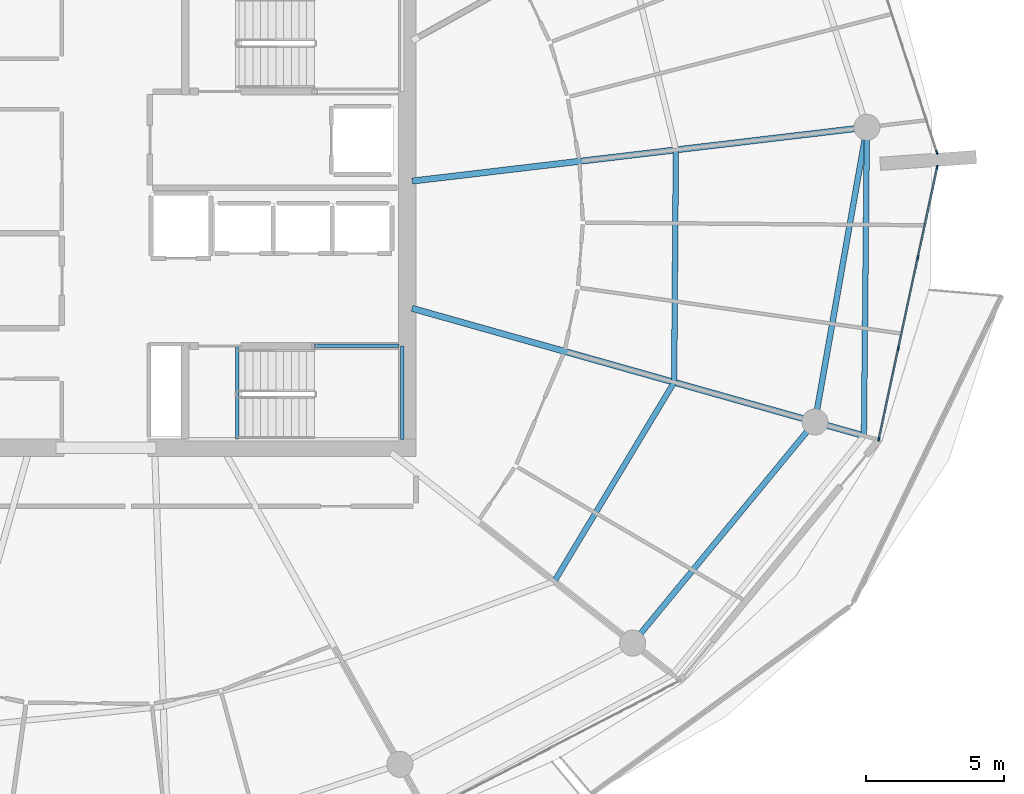
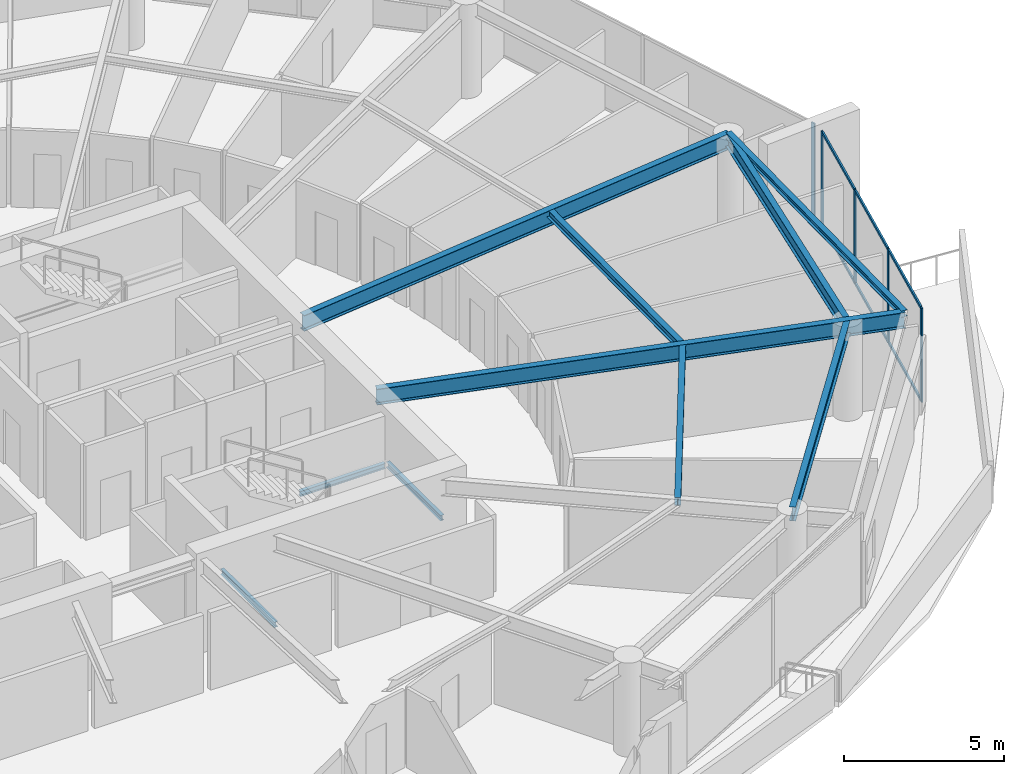
# One storey, part 11 of 30: 11 members, 10 beams, 2 elements without a shape of their own.
"""IFC4 building model written with IfcOpenShell, lengths in metres."""

from ifc_helpers import new_model, si_unit, direction, frame, origin, origin_2d, place, context, subcontext, project, spatial, rectangle, i_section, extrude, material, layer, layer_set, material_profile, profile_set, type_object, element, aggregate, save


model = new_model("IFC4")

# Units and contexts
model_context = context("Model", 3, precision=1e-05, world=origin(), true_north=direction((0.0, 1.0)))
body_context = subcontext(model_context, "Body", "Model", "MODEL_VIEW")
ifc_project = project(units=[si_unit("LENGTHUNIT", "METRE"), si_unit("AREAUNIT", "SQUARE_METRE"), si_unit("VOLUMEUNIT", "CUBIC_METRE"), si_unit("PLANEANGLEUNIT", "RADIAN"), si_unit("MASSUNIT", "GRAM", prefix="KILO")], contexts=[model_context])

# Site, building, storey
site_placement = place(None, origin())
site = spatial("IfcSite", under=ifc_project, at=site_placement, CompositionType="ELEMENT")
building_placement = place(site_placement, origin())
building = spatial("IfcBuilding", under=site, at=building_placement, Name="Kazma Halo Residences", CompositionType="ELEMENT")
storey_placement = place(building_placement, frame((0.0, 0.0, 244.39990234375)))
storey = spatial("IfcBuildingStorey", under=building, at=storey_placement, Name="L61", CompositionType="ELEMENT", Elevation=244.39990234375)

# Beams
ifc_material_1 = material(Name="Steel S355", Category="steel")
ifc_material_profile_1 = material_profile(ifc_material_1, i_section(OverallWidth=0.201904296875, OverallDepth=0.2470703125, WebThickness=0.00732421875, FlangeThickness=0.010986328125, FilletRadius=0.011962890625, at=origin_2d()), Name="W250x49.1")
ifc_profile_set_1 = profile_set([ifc_material_profile_1], Name="Steel S355")
beam_type_1 = type_object("IfcBeamType", Name="BM-BAL-CANT", PredefinedType="BEAM", material=ifc_profile_set_1)
beam_1_placement = place(storey_placement, frame((75.971435546875, 34.111083984375, 3.466552734375), z_axis=(0.009645503464, 0.999953481049, 0.0), x_axis=(-0.999953481049, 0.009645503464, 0.0)))
element("IfcBeam", 1, at=beam_1_placement, inside=storey, type_object=beam_type_1, Name="L61 wave-balcony tie beam 15", PredefinedType="BEAM", context=body_context, shape_type="SweptSolid", body=[
    extrude(i_section(OverallWidth=0.201904296875, OverallDepth=0.2470703125, WebThickness=0.00732421875, FlangeThickness=0.010986328125, FilletRadius=0.011962890625, at=origin_2d()), origin(), (0.0, 0.0, 1.0), 11.212890625),
])
ifc_material_profile_2 = material_profile(ifc_material_1, i_section(OverallWidth=0.22802734375, OverallDepth=0.60791015625, WebThickness=0.01123046875, FlangeThickness=0.017333984375, FilletRadius=0.01806640625, at=origin_2d()), Name="W610x113")
ifc_profile_set_2 = profile_set([ifc_material_profile_2], Name="Steel S355")
beam_type_2 = type_object("IfcBeamType", Name="BM-RAD-W610", PredefinedType="BEAM", material=ifc_profile_set_2)
beam_2_placement = place(storey_placement, frame((59.550048828125, 38.74267578125, 3.2861328125), z_axis=(0.96245092213, -0.271455746837, 0.0), x_axis=(0.271455746837, 0.96245092213, 0.0)))
element("IfcBeam", 2, at=beam_2_placement, inside=storey, type_object=beam_type_2, Name="L61 radial floor beam 15", PredefinedType="BEAM", context=body_context, shape_type="SweptSolid", body=[
    extrude(i_section(OverallWidth=0.22802734375, OverallDepth=0.60791015625, WebThickness=0.01123046875, FlangeThickness=0.017333984375, FilletRadius=0.01806640625, at=origin_2d()), origin(), (0.0, 0.0, 1.0), 17.06201171875),
])
beam_3_placement = place(storey_placement, frame((59.550048828125, 43.366943359375, 3.2861328125), z_axis=(0.993067455077, 0.117545861975, 0.0), x_axis=(-0.117545861975, 0.993067455077, 0.0)))
element("IfcBeam", 3, at=beam_3_placement, inside=storey, type_object=beam_type_2, Name="L61 radial floor beam 16", PredefinedType="BEAM", context=body_context, shape_type="SweptSolid", body=[
    extrude(i_section(OverallWidth=0.22802734375, OverallDepth=0.60791015625, WebThickness=0.01123046875, FlangeThickness=0.017333984375, FilletRadius=0.01806640625, at=origin_2d()), origin(), (0.0, 0.0, 1.0), 16.64501953125),
])
ifc_material_profile_3 = material_profile(ifc_material_1, i_section(OverallWidth=0.202880859375, OverallDepth=0.302978515625, WebThickness=0.007568359375, FlangeThickness=0.01318359375, FilletRadius=0.013916015625, at=origin_2d()), Name="W310x60")
ifc_profile_set_3 = profile_set([ifc_material_profile_3], Name="Steel S355")
beam_type_3 = type_object("IfcBeamType", Name="BM-SEC-W310A", PredefinedType="JOIST", material=ifc_profile_set_3)
beam_4_placement = place(storey_placement, frame((64.719482421875, 28.8193359375, 3.4384765625), z_axis=(0.515604761061, 0.856826546257, 0.0), x_axis=(-0.856826546257, 0.515604761061, 0.0)))
element("IfcBeam", 4, at=beam_4_placement, inside=storey, type_object=beam_type_3, Name="L61 circumferential floor joist 14", PredefinedType="JOIST", context=body_context, shape_type="SweptSolid", body=[
    extrude(i_section(OverallWidth=0.202880859375, OverallDepth=0.302978515625, WebThickness=0.007568359375, FlangeThickness=0.01318359375, FilletRadius=0.013916015625, at=origin_2d()), origin(), (0.0, 0.0, 1.0), 8.4462890625),
])
beam_5_placement = place(storey_placement, frame((69.074462890625, 36.056396484375, 3.4384765625), z_axis=(0.007429258426, 0.999972402679, 0.0), x_axis=(-0.999972402679, 0.007429258426, 0.0)))
element("IfcBeam", 5, at=beam_5_placement, inside=storey, type_object=beam_type_3, Name="L61 circumferential floor joist 15", PredefinedType="JOIST", context=body_context, shape_type="SweptSolid", body=[
    extrude(i_section(OverallWidth=0.202880859375, OverallDepth=0.302978515625, WebThickness=0.007568359375, FlangeThickness=0.01318359375, FilletRadius=0.013916015625, at=origin_2d()), origin(), (0.0, 0.0, 1.0), 8.445556640625),
])
ifc_material_profile_4 = material_profile(ifc_material_1, i_section(OverallWidth=0.208984375, OverallDepth=0.532958984375, WebThickness=0.01025390625, FlangeThickness=0.015625, FilletRadius=0.01611328125, at=origin_2d()), Name="W530x92")
ifc_profile_set_4 = profile_set([ifc_material_profile_4], Name="Steel S355")
beam_type_4 = type_object("IfcBeamType", Name="BM-SPN-W530", PredefinedType="BEAM", material=ifc_profile_set_4)
beam_6_placement = place(storey_placement, frame((67.566162109375, 26.5751953125, 3.323486328125), z_axis=(0.636002144225, 0.771687289348, 0.0), x_axis=(-0.771687289348, 0.636002144225, 0.0)))
element("IfcBeam", 6, at=beam_6_placement, inside=storey, type_object=beam_type_4, Name="L61 perimeter ring beam 14", PredefinedType="BEAM", context=body_context, shape_type="SweptSolid", body=[
    extrude(i_section(OverallWidth=0.208984375, OverallDepth=0.532958984375, WebThickness=0.01025390625, FlangeThickness=0.015625, FilletRadius=0.01611328125, at=origin_2d()), origin(), (0.0, 0.0, 1.0), 10.416259765625),
])
beam_7_placement = place(storey_placement, frame((74.19091796875, 34.61328125, 3.323486328125), z_axis=(0.173663672311, 0.984805020763, 0.0), x_axis=(-0.984805020763, 0.173663672311, 0.0)))
element("IfcBeam", 7, at=beam_7_placement, inside=storey, type_object=beam_type_4, Name="L61 perimeter ring beam 15", PredefinedType="BEAM", context=body_context, shape_type="SweptSolid", body=[
    extrude(i_section(OverallWidth=0.208984375, OverallDepth=0.532958984375, WebThickness=0.01025390625, FlangeThickness=0.015625, FilletRadius=0.01611328125, at=origin_2d()), origin(), (0.0, 0.0, 1.0), 10.87548828125),
])
ifc_material_profile_5 = material_profile(ifc_material_1, i_section(OverallWidth=0.133056640625, OverallDepth=0.20703125, WebThickness=0.005859375, FlangeThickness=0.00830078125, FilletRadius=0.010009765625, at=origin_2d()), Name="W200x26.6")
ifc_profile_set_5 = profile_set([ifc_material_profile_5], Name="Steel S355")
beam_type_5 = type_object("IfcBeamType", Name="BM-TRIM-W200", PredefinedType="BEAM", material=ifc_profile_set_5)
beam_8_placement = place(storey_placement, frame((53.199951171875, 34.0, -0.369873046875), z_axis=(0.0, 1.0, 0.0), x_axis=(-1.0, 0.0, 0.0)))
element("IfcBeam", 8, at=beam_8_placement, inside=storey, type_object=beam_type_5, Name="L61 ST-03 floor landing support beam", PredefinedType="BEAM", context=body_context, shape_type="SweptSolid", body=[
    extrude(i_section(OverallWidth=0.133056640625, OverallDepth=0.20703125, WebThickness=0.005859375, FlangeThickness=0.00830078125, FilletRadius=0.010009765625, at=origin_2d()), origin(), (0.0, 0.0, 1.0), 3.3798828125),
])
beam_9_placement = place(storey_placement, frame((56.0, 37.3798828125, 1.6201171875), z_axis=(1.0, 0.0, 0.0), x_axis=(0.0, 1.0, 0.0)))
element("IfcBeam", 9, at=beam_9_placement, inside=storey, type_object=beam_type_5, Name="L61 ST-03 landing north wall ledger", PredefinedType="BEAM", context=body_context, shape_type="SweptSolid", body=[
    extrude(i_section(OverallWidth=0.133056640625, OverallDepth=0.20703125, WebThickness=0.005859375, FlangeThickness=0.00830078125, FilletRadius=0.010009765625, at=origin_2d()), origin(), (0.0, 0.0, 1.0), 3.070068359375),
])
beam_10_placement = place(storey_placement, frame((59.18994140625, 33.97998046875, 1.6201171875), z_axis=(0.0, 1.0, 0.0), x_axis=(-1.0, 0.0, 0.0)))
element("IfcBeam", 10, at=beam_10_placement, inside=storey, type_object=beam_type_5, Name="L61 ST-03 landing end wall ledger", PredefinedType="BEAM", context=body_context, shape_type="SweptSolid", body=[
    extrude(i_section(OverallWidth=0.133056640625, OverallDepth=0.20703125, WebThickness=0.005859375, FlangeThickness=0.00830078125, FilletRadius=0.010009765625, at=origin_2d()), origin(), (0.0, 0.0, 1.0), 3.39990234375),
])

# Curtain wall, members
ifc_material_2 = material(Name="Aluminium AW-6063 T6 and Triple-Silver Low-E Glass", Category="aluminium")
ifc_layer = layer(ifc_material_2, 0.139892578125)
ifc_layer_set = layer_set([ifc_layer], Name="Aluminium AW-6063 T6 and Triple-Silver Low-E Glass")
curtain_wall_type = type_object("IfcCurtainWallType", Name="CW-SYS-5", PredefinedType="NOTDEFINED", material=ifc_layer_set)
curtain_wall_1_placement = place(storey_placement, origin())
curtain_wall_1 = element("IfcCurtainWall", 11, at=curtain_wall_1_placement, inside=storey, type_object=curtain_wall_type, Name="L61 unitised curtain wall B15", PredefinedType="NOTDEFINED")
ifc_material_3 = material(Name="Aluminium AW-6063 T6", Category="aluminium")
ifc_material_profile_6 = material_profile(ifc_material_3, rectangle(XDim=0.06005859375, YDim=0.139892578125, at=origin_2d()), Name="CWM-60x140")
ifc_profile_set_6 = profile_set([ifc_material_profile_6], Name="Aluminium AW-6063 T6")
member_type_1 = type_object("IfcMemberType", Name="CW-SYS-5-MUL", PredefinedType="MULLION", material=ifc_profile_set_6)
member_1_placement = place(storey_placement, frame((76.514892578125, 33.989013671875, 0.0), z_axis=(0.0, 0.0, 1.0), x_axis=(-0.97777491373, 0.209657382603, 0.0)))
member_1 = element("IfcMember", 12, at=member_1_placement, type_object=member_type_1, Name="CWS-5 mullion 1", PredefinedType="MULLION", context=body_context, shape_type="SweptSolid", body=[
    extrude(rectangle(XDim=0.06005859375, YDim=0.139892578125, at=origin_2d()), origin(), (0.0, 0.0, 1.0), 3.590087890625),
])
member_2_placement = place(storey_placement, frame((77.218994140625, 37.2734375, 0.0), z_axis=(0.0, 0.0, 1.0), x_axis=(-0.97777491373, 0.209657382603, 0.0)))
member_2 = element("IfcMember", 13, at=member_2_placement, type_object=member_type_1, Name="CWS-5 mullion 2", PredefinedType="MULLION", context=body_context, shape_type="SweptSolid", body=[
    extrude(rectangle(XDim=0.06005859375, YDim=0.139892578125, at=origin_2d()), origin(), (0.0, 0.0, 1.0), 3.590087890625),
])
member_3_placement = place(storey_placement, frame((77.9296875, 40.587158203125, 0.0), z_axis=(0.0, 0.0, 1.0), x_axis=(-0.97777491373, 0.209657382603, 0.0)))
member_3 = element("IfcMember", 14, at=member_3_placement, type_object=member_type_1, Name="CWS-5 mullion 3", PredefinedType="MULLION", context=body_context, shape_type="SweptSolid", body=[
    extrude(rectangle(XDim=0.06005859375, YDim=0.139892578125, at=origin_2d()), origin(), (0.0, 0.0, 1.0), 3.590087890625),
])
member_4_placement = place(storey_placement, frame((78.6337890625, 43.87158203125, 0.0), z_axis=(0.0, 0.0, 1.0), x_axis=(-0.97777491373, 0.209657382603, 0.0)))
member_4 = element("IfcMember", 15, at=member_4_placement, type_object=member_type_1, Name="CWS-5 mullion 4", PredefinedType="MULLION", context=body_context, shape_type="SweptSolid", body=[
    extrude(rectangle(XDim=0.06005859375, YDim=0.139892578125, at=origin_2d()), origin(), (0.0, 0.0, 1.0), 3.590087890625),
])

# Curtain wall, member
curtain_wall_2_placement = place(storey_placement, origin())
curtain_wall_2 = element("IfcCurtainWall", 16, at=curtain_wall_2_placement, inside=storey, type_object=curtain_wall_type, Name="L61 unitised curtain wall B16", PredefinedType="NOTDEFINED")
member_5_placement = place(storey_placement, frame((78.622802734375, 44.412353515625, 0.0), z_axis=(0.0, 0.0, 1.0), x_axis=(-0.951058464359, -0.309010998786, 0.0)))
member_5 = element("IfcMember", 17, at=member_5_placement, type_object=member_type_1, Name="CWS-5 mullion 1", PredefinedType="MULLION", context=body_context, shape_type="SweptSolid", body=[
    extrude(rectangle(XDim=0.06005859375, YDim=0.139892578125, at=origin_2d()), origin(), (0.0, 0.0, 1.0), 3.590087890625),
])
aggregate(curtain_wall_2, [member_5])

# Member
ifc_material_profile_7 = material_profile(ifc_material_3, rectangle(XDim=0.06005859375, YDim=0.10498046875, at=origin_2d()), Name="CWT-60x105")
ifc_profile_set_7 = profile_set([ifc_material_profile_7], Name="Aluminium AW-6063 T6")
member_type_2 = type_object("IfcMemberType", Name="CW-SYS-5-TRN", PredefinedType="USERDEFINED", material=ifc_profile_set_7)
member_6_placement = place(storey_placement, frame((76.52099609375, 34.0185546875, 0.030029296875), z_axis=(0.209660493552, 0.977774246666, 0.0), x_axis=(-0.977774246666, 0.209660493552, 0.0)))
member_6 = element("IfcMember", 18, at=member_6_placement, type_object=member_type_2, Name="CWS-5 transom 1.1", ObjectType="TRANSOM", PredefinedType="USERDEFINED", context=body_context, shape_type="SweptSolid", body=[
    extrude(rectangle(XDim=0.06005859375, YDim=0.10498046875, at=origin_2d()), origin(), (0.0, 0.0, 1.0), 3.298828125),
])

member_7_placement = place(storey_placement, frame((76.52099609375, 34.0185546875, 3.56005859375), z_axis=(0.209660493552, 0.977774246666, 0.0), x_axis=(-0.977774246666, 0.209660493552, 0.0)))
member_7 = element("IfcMember", 19, at=member_7_placement, type_object=member_type_2, Name="CWS-5 transom 1.2", ObjectType="TRANSOM", PredefinedType="USERDEFINED", context=body_context, shape_type="SweptSolid", body=[
    extrude(rectangle(XDim=0.06005859375, YDim=0.10498046875, at=origin_2d()), origin(), (0.0, 0.0, 1.0), 3.298828125),
])

member_8_placement = place(storey_placement, frame((77.225341796875, 37.302734375, 0.030029296875), z_axis=(0.209664309019, 0.977773428522, 0.0), x_axis=(-0.977773428522, 0.209664309019, 0.0)))
member_8 = element("IfcMember", 20, at=member_8_placement, type_object=member_type_2, Name="CWS-5 transom 2.1", ObjectType="TRANSOM", PredefinedType="USERDEFINED", context=body_context, shape_type="SweptSolid", body=[
    extrude(rectangle(XDim=0.06005859375, YDim=0.10498046875, at=origin_2d()), origin(), (0.0, 0.0, 1.0), 3.3291015625),
])

member_9_placement = place(storey_placement, frame((77.225341796875, 37.302734375, 3.56005859375), z_axis=(0.209664309019, 0.977773428522, 0.0), x_axis=(-0.977773428522, 0.209664309019, 0.0)))
member_9 = element("IfcMember", 21, at=member_9_placement, type_object=member_type_2, Name="CWS-5 transom 2.2", ObjectType="TRANSOM", PredefinedType="USERDEFINED", context=body_context, shape_type="SweptSolid", body=[
    extrude(rectangle(XDim=0.06005859375, YDim=0.10498046875, at=origin_2d()), origin(), (0.0, 0.0, 1.0), 3.3291015625),
])

member_10_placement = place(storey_placement, frame((77.935791015625, 40.616455078125, 0.030029296875), z_axis=(0.209645323239, 0.977777499457, 0.0), x_axis=(-0.977777499457, 0.209645323239, 0.0)))
member_10 = element("IfcMember", 22, at=member_10_placement, type_object=member_type_2, Name="CWS-5 transom 3.1", ObjectType="TRANSOM", PredefinedType="USERDEFINED", context=body_context, shape_type="SweptSolid", body=[
    extrude(rectangle(XDim=0.06005859375, YDim=0.10498046875, at=origin_2d()), origin(), (0.0, 0.0, 1.0), 3.299072265625),
])

member_11_placement = place(storey_placement, frame((77.935791015625, 40.616455078125, 3.56005859375), z_axis=(0.209645323239, 0.977777499457, 0.0), x_axis=(-0.977777499457, 0.209645323239, 0.0)))
member_11 = element("IfcMember", 23, at=member_11_placement, type_object=member_type_2, Name="CWS-5 transom 3.2", ObjectType="TRANSOM", PredefinedType="USERDEFINED", context=body_context, shape_type="SweptSolid", body=[
    extrude(rectangle(XDim=0.06005859375, YDim=0.10498046875, at=origin_2d()), origin(), (0.0, 0.0, 1.0), 3.299072265625),
])

aggregate(curtain_wall_1, [member_1, member_2, member_3, member_4, member_6, member_7, member_8, member_9, member_10, member_11])

save(model, "model.ifc")
